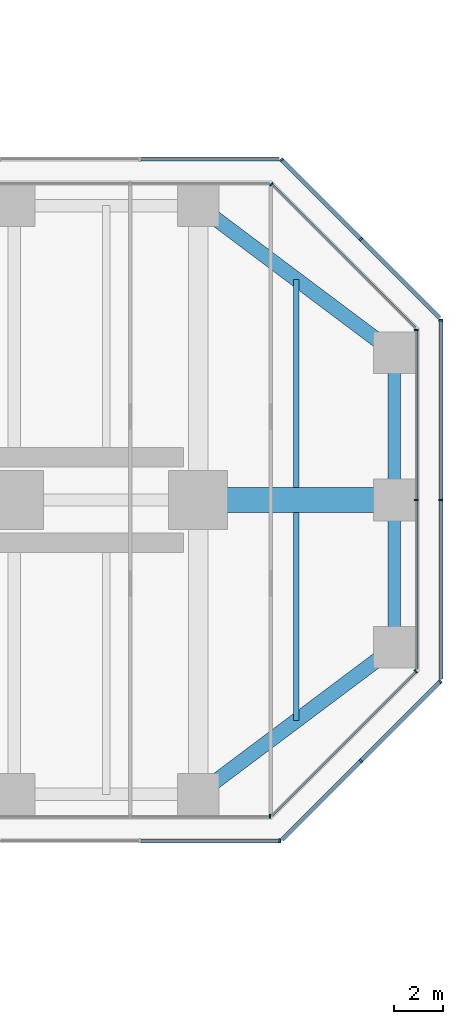
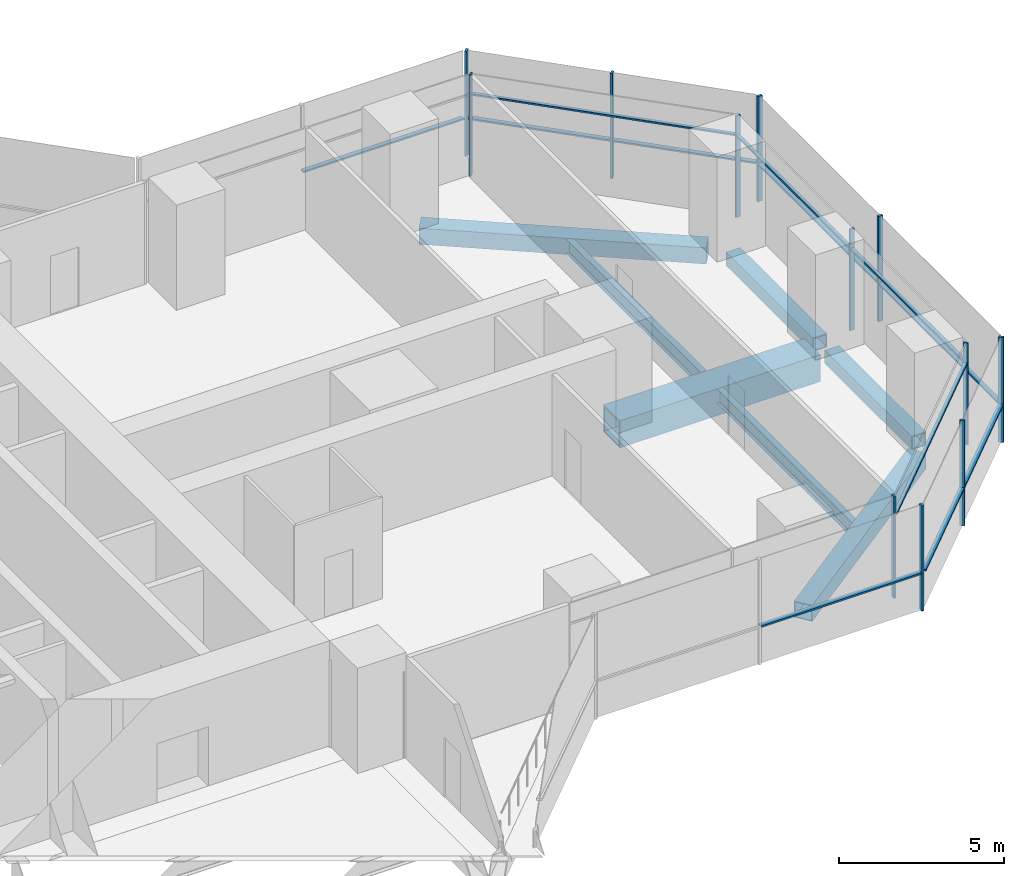
# One storey, part 11 of 20: 24 members, 7 beams, 9 elements without a shape of their own.
"""IFC4 building model written with IfcOpenShell, lengths in metres."""

import ifcopenshell
import ifcopenshell.guid

model = None  # the IFC model being written
_history = None  # IfcOwnerHistory: only IFC2X3 demands one
_inside = {}  # id of a spatial element -> (the spatial element, [elements in it])
_under = {}  # id of a project, library or spatial element -> (it, [spatial elements below it])
_declared = {}  # id of a project -> (the project, [libraries it declares])
_typed = {}  # id of a type object -> (the type object, [elements of that type])
_made_of = {}  # id of a material, layer set ... -> (it, [elements and type objects made of it])


def new_model(schema):
    """Start an empty IFC model of exactly this schema.

    Asked for "IFC4X3", IfcOpenShell would pick the latest addendum, in which some entities
    have other attributes; the version numbers below select the first issue.
    IFC2X3 requires an IfcOwnerHistory on every rooted entity: one is made here for all.
    """
    global model, _history
    if schema == "IFC4X3":
        model = ifcopenshell.file(schema_version=(4, 3, 0, 0))
    else:
        model = ifcopenshell.file(schema=schema)
    _inside.clear()
    _under.clear()
    _declared.clear()
    _typed.clear()
    _made_of.clear()
    _history = None
    if model.schema == "IFC2X3":
        org = make("IfcOrganization", Name="unknown")
        user = make(
            "IfcPersonAndOrganization",
            ThePerson=make("IfcPerson", FamilyName="unknown"),
            TheOrganization=org,
        )
        app = make(
            "IfcApplication",
            ApplicationDeveloper=org,
            Version="unknown",
            ApplicationFullName="unknown",
            ApplicationIdentifier="unknown",
        )
        _history = make(
            "IfcOwnerHistory",
            OwningUser=user,
            OwningApplication=app,
            ChangeAction="ADDED",
            CreationDate=0,
        )
    return model


def make(cls, **values):
    """One entity of the class cls with the attributes given. An attribute that is None is left unset."""
    return model.create_entity(
        cls, **{name: value for name, value in values.items() if value is not None}
    )


def rooted(cls, **values):
    """An entity with a GlobalId (a new one), such as an element, a storey or a relation."""
    return make(cls, GlobalId=ifcopenshell.guid.new(), OwnerHistory=_history, **values)


def si_unit(unit_type, name, prefix=None):
    """IfcSIUnit, for example si_unit("LENGTHUNIT", "METRE", prefix="MILLI")."""
    return make("IfcSIUnit", UnitType=unit_type, Prefix=prefix, Name=name)


def assignment(units):
    """IfcUnitAssignment: the units of a project."""
    return None if units is None else make("IfcUnitAssignment", Units=units)


def point(xyz):
    """IfcCartesianPoint."""
    return None if xyz is None else make("IfcCartesianPoint", Coordinates=xyz)


def direction(xyz):
    """IfcDirection."""
    return None if xyz is None else make("IfcDirection", DirectionRatios=xyz)


def frame(location, z_axis=None, x_axis=None):
    """IfcAxis2Placement3D, a coordinate frame: its origin and axes. An axis left out is left unset."""
    return make(
        "IfcAxis2Placement3D",
        Location=point(location),
        Axis=direction(z_axis),
        RefDirection=direction(x_axis),
    )


def frame_2d(location, x_axis=None):
    """IfcAxis2Placement2D, a coordinate frame in the plane: its origin and x axis."""
    return make(
        "IfcAxis2Placement2D", Location=point(location), RefDirection=direction(x_axis)
    )


def origin():
    """The frame at (0, 0, 0) with its axes left unset."""
    return frame((0.0, 0.0, 0.0))


def origin_2d():
    """The frame at (0, 0) in the plane with its x axis left unset."""
    return frame_2d((0.0, 0.0))


def place(relative_to, where):
    """IfcLocalPlacement: puts the frame where relative to a parent placement (None: the world)."""
    return make(
        "IfcLocalPlacement", PlacementRelTo=relative_to, RelativePlacement=where
    )


def context(
    kind, dimensions, precision=None, world=None, true_north=None, identifier=None
):
    """IfcGeometricRepresentationContext, for example the 3D "Model" context."""
    return make(
        "IfcGeometricRepresentationContext",
        ContextIdentifier=identifier,
        ContextType=kind,
        CoordinateSpaceDimension=dimensions,
        Precision=precision,
        WorldCoordinateSystem=world,
        TrueNorth=true_north,
    )


def subcontext(parent, identifier, kind, view, scale=None):
    """IfcGeometricRepresentationSubContext, for example "Body" below "Model"."""
    return make(
        "IfcGeometricRepresentationSubContext",
        ContextIdentifier=identifier,
        ContextType=kind,
        ParentContext=parent,
        TargetScale=scale,
        TargetView=view,
    )


def project(units=None, contexts=None):
    """IfcProject with its units and contexts."""
    return rooted(
        "IfcProject",
        Name="project",
        RepresentationContexts=contexts,
        UnitsInContext=assignment(units),
    )


def spatial(cls, under=None, at=None, **own):
    """A site, building, storey or space (cls), placed at a placement, below another one or the project."""
    s = rooted(cls, ObjectPlacement=at, **own)
    if under is not None:
        _under.setdefault(under.id(), (under, []))[1].append(s)
    return s


def profile(cls, at=None, kind="AREA", **sizes):
    """A parametric profile (cls). Its sizes go by their IFC names, for example OverallWidth=200.0."""
    return make(cls, ProfileType=kind, Position=at, **sizes)


def rectangle(**sizes):
    """IfcRectangleProfileDef."""
    return profile("IfcRectangleProfileDef", **sizes)


def hollow_rectangle(**sizes):
    """IfcRectangleHollowProfileDef."""
    return profile("IfcRectangleHollowProfileDef", **sizes)


def i_section(**sizes):
    """IfcIShapeProfileDef."""
    return profile("IfcIShapeProfileDef", **sizes)


def extrude(swept, where, along, depth):
    """IfcExtrudedAreaSolid: the profile swept, set in the frame where, extruded along a direction by depth."""
    return make(
        "IfcExtrudedAreaSolid",
        SweptArea=swept,
        Position=where,
        ExtrudedDirection=direction(along),
        Depth=depth,
    )


def shape(context_of_items, identifier, shape_type, items):
    """IfcShapeRepresentation: the items that make up one representation, for example the "Body"."""
    return make(
        "IfcShapeRepresentation",
        ContextOfItems=context_of_items,
        RepresentationIdentifier=identifier,
        RepresentationType=shape_type,
        Items=items,
    )


def material(Name=None, Category=None):
    """IfcMaterial."""
    return make("IfcMaterial", Name=Name, Category=Category)


def material_profile(
    of_material, cross_section, Name=None, Category=None, Priority=None
):
    """IfcMaterialProfile: a cross section and its material."""
    return make(
        "IfcMaterialProfile",
        Name=Name,
        Material=of_material,
        Profile=cross_section,
        Priority=Priority,
        Category=Category,
    )


def profile_set(profiles, Name=None, composite=None):
    """IfcMaterialProfileSet."""
    return make(
        "IfcMaterialProfileSet",
        Name=Name,
        MaterialProfiles=profiles,
        CompositeProfile=composite,
    )


def made_of(thing, what):
    """Note that an element or type object is made of a material, layer set ...; save() writes the relation."""
    if what is not None:
        _made_of.setdefault(what.id(), (what, []))[1].append(thing)
    return thing


def type_object(cls, material=None, **own):
    """A type object (cls), such as IfcWallType, which elements share."""
    return made_of(rooted(cls, **own), material)


def element(
    cls,
    number,
    at=None,
    inside=None,
    cuts=None,
    type_object=None,
    material=None,
    context=None,
    identifier="Body",
    shape_type=None,
    held_by="IfcProductDefinitionShape",
    body=None,
    shapes=None,
    **own,
):
    """One element of the class cls, such as IfcWall. Its Tag is "e" and its number.

    at: its placement. inside: the storey or other place that contains it. cuts: it is an
    opening in that element (IfcRelVoidsElement). A single representation is given by context,
    identifier, shape_type and body (its items); several are given by shapes. held_by: the class
    of the entity that holds the representations. save() writes the other relations.
    """
    e = rooted(cls, Tag="e%d" % number, ObjectPlacement=at, **own)
    if body is not None:
        shapes = [shape(context, identifier, shape_type, body)]
    if shapes is not None:
        e.Representation = make(held_by, Representations=shapes)
    if inside is not None:
        _inside.setdefault(inside.id(), (inside, []))[1].append(e)
    if cuts is not None:
        rooted(
            "IfcRelVoidsElement", RelatingBuildingElement=cuts, RelatedOpeningElement=e
        )
    if type_object is not None:
        _typed.setdefault(type_object.id(), (type_object, []))[1].append(e)
    return made_of(e, material)


def aggregate(whole, parts):
    """IfcRelAggregates: a whole, such as a stair, and the parts it consists of."""
    return rooted("IfcRelAggregates", RelatingObject=whole, RelatedObjects=parts)


def save(model, path):
    """Write the relations noted so far, then the file.

    IfcRelAggregates (storeys below a building ...), IfcRelContainedInSpatialStructure (elements
    in a storey), IfcRelDefinesByType, IfcRelAssociatesMaterial and IfcRelDeclares: one each for
    every whole, place, type object, material and project.
    """
    for whole, parts in _under.values():
        aggregate(whole, parts)
    for where, things in _inside.values():
        rooted(
            "IfcRelContainedInSpatialStructure",
            RelatedElements=things,
            RelatingStructure=where,
        )
    for kind, things in _typed.values():
        rooted("IfcRelDefinesByType", RelatedObjects=things, RelatingType=kind)
    for what, things in _made_of.values():
        rooted("IfcRelAssociatesMaterial", RelatedObjects=things, RelatingMaterial=what)
    for by, libraries in _declared.values():
        rooted("IfcRelDeclares", RelatingContext=by, RelatedDefinitions=libraries)
    model.write(path)


model = new_model("IFC4")

# Units and contexts
model_context = context("Model", 3, precision=1e-05, world=origin(), true_north=direction((0.0, 1.0)))
body_context = subcontext(model_context, "Body", "Model", "MODEL_VIEW")
ifc_project = project(units=[si_unit("LENGTHUNIT", "METRE"), si_unit("AREAUNIT", "SQUARE_METRE"), si_unit("VOLUMEUNIT", "CUBIC_METRE"), si_unit("PLANEANGLEUNIT", "RADIAN"), si_unit("MASSUNIT", "GRAM", prefix="KILO")], contexts=[model_context])

# Site, building, storey
site_placement = place(None, origin())
site = spatial("IfcSite", under=ifc_project, at=site_placement, CompositionType="ELEMENT")
building_placement = place(site_placement, origin())
building = spatial("IfcBuilding", under=site, at=building_placement, Name="Mizan Broadcast Tower", CompositionType="ELEMENT")
storey_placement = place(building_placement, frame((0.0, 0.0, 178.800048828125)))
storey = spatial("IfcBuildingStorey", under=building, at=storey_placement, Name="L41", CompositionType="ELEMENT", Elevation=178.800048828125)

# Beams
ifc_material_1 = material(Name="Steel S355", Category="steel")
ifc_material_profile_1 = material_profile(ifc_material_1, hollow_rectangle(XDim=0.5, YDim=0.5, WallThickness=0.030029296875, at=origin_2d()), Name="BOX 500x500x30")
ifc_profile_set_1 = profile_set([ifc_material_profile_1], Name="Steel S355")
beam_type_1 = type_object("IfcBeamType", Name="EDGE BEAM BOX 500x500x30", PredefinedType="SPANDREL", material=ifc_profile_set_1)
for number, where, z_axis, x_axis, name in (
    (1, (35.0, -5.639892578125, -0.380126953125), (0.0, 1.0, 0.0), (-1.0, 0.0, 0.0), "Edge beam BOX 500x500x30 L41 east arm"),
    (2, (35.0, 5.639892578125, -0.380126953125), (0.0, -1.0, 0.0), (1.0, 0.0, 0.0), "Edge beam BOX 500x500x30 L41 east arm"),
):
    element("IfcBeam", number, at=place(storey_placement, frame(where, z_axis=z_axis, x_axis=x_axis)), inside=storey, type_object=beam_type_1, Name=name, PredefinedType="SPANDREL", context=body_context, shape_type="SweptSolid", body=[
        extrude(hollow_rectangle(XDim=0.5, YDim=0.5, WallThickness=0.030029296875, at=origin_2d()), origin(), (0.0, 0.0, 1.0), 5.27978515625),
    ])
ifc_material_2 = material(Name="Steel S355", Category="steel")
ifc_material_profile_2 = material_profile(ifc_material_2, hollow_rectangle(XDim=0.60009765625, YDim=0.60009765625, WallThickness=0.030029296875, at=origin_2d()), Name="BOX 600x600x30")
ifc_profile_set_2 = profile_set([ifc_material_profile_2], Name="Steel S355")
beam_type_2 = type_object("IfcBeamType", Name="EDGE BEAM BOX 600x600x30", PredefinedType="SPANDREL", material=ifc_profile_set_2)
for number, where, z_axis, x_axis, name in (
    (3, (27.47998046875, -11.639892578125, -0.429931640625), (0.800013316712, 0.599982243973, 0.0), (-0.599982243973, 0.800013316712, 0.0), "Edge beam BOX 600x600x30 L41 east arm"),
    (4, (27.47998046875, 11.639892578125, -0.429931640625), (0.800013316712, -0.599982243973, 0.0), (0.599982243973, 0.800013316712, 0.0), "Edge beam BOX 600x600x30 L41 east arm"),
):
    element("IfcBeam", number, at=place(storey_placement, frame(where, z_axis=z_axis, x_axis=x_axis)), inside=storey, type_object=beam_type_2, Name=name, PredefinedType="SPANDREL", context=body_context, shape_type="SweptSolid", body=[
        extrude(hollow_rectangle(XDim=0.60009765625, YDim=0.60009765625, WallThickness=0.030029296875, at=origin_2d()), origin(), (0.0, 0.0, 1.0), 8.7998046875),
    ])
ifc_material_3 = material(Name="Steel S460", Category="steel")
ifc_material_profile_3 = material_profile(ifc_material_3, hollow_rectangle(XDim=1.0, YDim=1.0, WallThickness=0.06005859375, at=origin_2d()), Name="BOX 1000x1000x60")
ifc_profile_set_3 = profile_set([ifc_material_profile_3], Name="Steel S460")
beam_type_3 = type_object("IfcBeamType", Name="GIRDER BOX 1000x1000x60", PredefinedType="BEAM", material=ifc_profile_set_3)
beam_placement = place(storey_placement, frame((27.47998046875, 0.0, -0.630126953125), z_axis=(1.0, 0.0, 0.0), x_axis=(0.0, 1.0, 0.0)))
element("IfcBeam", 5, at=beam_placement, inside=storey, type_object=beam_type_3, Name="Girder BOX 1000x1000x60 L41 east arm", PredefinedType="BEAM", context=body_context, shape_type="SweptSolid", body=[
    extrude(hollow_rectangle(XDim=1.0, YDim=1.0, WallThickness=0.06005859375, at=origin_2d()), origin(), (0.0, 0.0, 1.0), 7.0400390625),
])

# Curtain wall, member
ifc_material_4 = material(Name="Aluminium framed glazing", Category="aluminium")
curtain_wall_type_1 = type_object("IfcCurtainWallType", Name="INNER SKIN MID ZONE", PredefinedType="USERDEFINED", material=ifc_material_4)
curtain_wall_1_placement = place(storey_placement, origin())
curtain_wall_1 = element("IfcCurtainWall", 6, at=curtain_wall_1_placement, inside=storey, type_object=curtain_wall_type_1, Name="Inner skin mid zone L41 E side", ObjectType="INNER SKIN MID ZONE", PredefinedType="USERDEFINED")
ifc_material_5 = material(Name="Aluminium, pale anodised", Category="aluminium")
ifc_material_profile_4 = material_profile(ifc_material_5, rectangle(XDim=0.159912109375, YDim=0.06005859375, at=origin_2d()), Name="MULLION 160x60")
ifc_profile_set_4 = profile_set([ifc_material_profile_4], Name="Aluminium, pale anodised")
member_type_1 = type_object("IfcMemberType", Name="INNER SKIN MULLION 60x160", PredefinedType="MULLION", material=ifc_profile_set_4)
member_1_placement = place(storey_placement, frame((29.928466796875, -12.89990234375, 0.0), z_axis=(0.0, 0.0, 1.0), x_axis=(0.0, 1.0, 0.0)))
member_1 = element("IfcMember", 7, at=member_1_placement, type_object=member_type_1, Name="Inner skin mid zone L41 E side mullion 3", PredefinedType="MULLION", context=body_context, shape_type="SweptSolid", body=[
    extrude(rectangle(XDim=0.159912109375, YDim=0.06005859375, at=origin_2d()), origin(), (0.0, 0.0, 1.0), 3.77001953125),
])
aggregate(curtain_wall_1, [member_1])

curtain_wall_2_placement = place(storey_placement, origin())
curtain_wall_2 = element("IfcCurtainWall", 8, at=curtain_wall_2_placement, inside=storey, type_object=curtain_wall_type_1, Name="Inner skin mid zone L41 E chamfer", ObjectType="INNER SKIN MID ZONE", PredefinedType="USERDEFINED")
member_2_placement = place(storey_placement, frame((35.87890625, -6.979736328125, 0.0), z_axis=(0.0, 0.0, 1.0), x_axis=(-0.707106781187, 0.707106781187, 0.0)))
member_2 = element("IfcMember", 9, at=member_2_placement, type_object=member_type_1, Name="Inner skin mid zone L41 E chamfer mullion 2", PredefinedType="MULLION", context=body_context, shape_type="SweptSolid", body=[
    extrude(rectangle(XDim=0.159912109375, YDim=0.06005859375, at=origin_2d()), origin(), (0.0, 0.0, 1.0), 3.77001953125),
])

# Curtain wall, members
curtain_wall_3_placement = place(storey_placement, origin())
curtain_wall_3 = element("IfcCurtainWall", 10, at=curtain_wall_3_placement, inside=storey, type_object=curtain_wall_type_1, Name="Inner skin mid zone L41 E end", ObjectType="INNER SKIN MID ZONE", PredefinedType="USERDEFINED")
member_3_placement = place(storey_placement, frame((35.89990234375, 0.0, 0.0), z_axis=(0.0, 0.0, 1.0), x_axis=(-1.0, 0.0, 0.0)))
member_3 = element("IfcMember", 11, at=member_3_placement, type_object=member_type_1, Name="Inner skin mid zone L41 E end mullion 2", PredefinedType="MULLION", context=body_context, shape_type="SweptSolid", body=[
    extrude(rectangle(XDim=0.159912109375, YDim=0.06005859375, at=origin_2d()), origin(), (0.0, 0.0, 1.0), 3.77001953125),
])
member_4_placement = place(storey_placement, frame((35.89990234375, 6.928466796875, 0.0), z_axis=(0.0, 0.0, 1.0), x_axis=(-1.0, 0.0, 0.0)))
member_4 = element("IfcMember", 12, at=member_4_placement, type_object=member_type_1, Name="Inner skin mid zone L41 E end mullion 3", PredefinedType="MULLION", context=body_context, shape_type="SweptSolid", body=[
    extrude(rectangle(XDim=0.159912109375, YDim=0.06005859375, at=origin_2d()), origin(), (0.0, 0.0, 1.0), 3.77001953125),
])

# Curtain wall, member
curtain_wall_4_placement = place(storey_placement, origin())
curtain_wall_4 = element("IfcCurtainWall", 13, at=curtain_wall_4_placement, inside=storey, type_object=curtain_wall_type_1, Name="Inner skin mid zone L41 E chamfer", ObjectType="INNER SKIN MID ZONE", PredefinedType="USERDEFINED")
member_5_placement = place(storey_placement, frame((29.979736328125, 12.87890625, 0.0), z_axis=(0.0, 0.0, 1.0), x_axis=(-0.707106781187, -0.707106781187, 0.0)))
member_5 = element("IfcMember", 14, at=member_5_placement, type_object=member_type_1, Name="Inner skin mid zone L41 E chamfer mullion 2", PredefinedType="MULLION", context=body_context, shape_type="SweptSolid", body=[
    extrude(rectangle(XDim=0.159912109375, YDim=0.06005859375, at=origin_2d()), origin(), (0.0, 0.0, 1.0), 3.77001953125),
])

# Member
ifc_material_6 = material(Name="Aluminium, pale anodised", Category="aluminium")
ifc_material_profile_5 = material_profile(ifc_material_6, rectangle(XDim=0.1201171875, YDim=0.06005859375, at=origin_2d()), Name="TRANSOM 120x60")
ifc_profile_set_5 = profile_set([ifc_material_profile_5], Name="Aluminium, pale anodised")
member_type_2 = type_object("IfcMemberType", Name="INNER SKIN TRANSOM 60x120", PredefinedType="USERDEFINED", material=ifc_profile_set_5)
member_6_placement = place(storey_placement, frame((30.0009765625, -12.857666015625, 3.030029296875), z_axis=(0.707106781187, 0.707106781187, 0.0), x_axis=(-0.707106781187, 0.707106781187, 0.0)))
member_6 = element("IfcMember", 15, at=member_6_placement, type_object=member_type_2, Name="Inner skin mid zone L41 E chamfer transom 1.1", ObjectType="TRANSOM", PredefinedType="USERDEFINED", context=body_context, shape_type="SweptSolid", body=[
    extrude(rectangle(XDim=0.1201171875, YDim=0.06005859375, at=origin_2d()), origin(), (0.0, 0.0, 1.0), 8.28271484375),
])

aggregate(curtain_wall_2, [member_2, member_6])

member_7_placement = place(storey_placement, frame((35.89990234375, -6.898681640625, 3.030029296875), z_axis=(0.0, 1.0, 0.0), x_axis=(-1.0, 0.0, 0.0)))
member_7 = element("IfcMember", 16, at=member_7_placement, type_object=member_type_2, Name="Inner skin mid zone L41 E end transom 1.1", ObjectType="TRANSOM", PredefinedType="USERDEFINED", context=body_context, shape_type="SweptSolid", body=[
    extrude(rectangle(XDim=0.1201171875, YDim=0.06005859375, at=origin_2d()), origin(), (0.0, 0.0, 1.0), 6.86865234375),
])

member_8_placement = place(storey_placement, frame((35.89990234375, 0.030029296875, 3.030029296875), z_axis=(0.0, 1.0, 0.0), x_axis=(-1.0, 0.0, 0.0)))
member_8 = element("IfcMember", 17, at=member_8_placement, type_object=member_type_2, Name="Inner skin mid zone L41 E end transom 2.1", ObjectType="TRANSOM", PredefinedType="USERDEFINED", context=body_context, shape_type="SweptSolid", body=[
    extrude(rectangle(XDim=0.1201171875, YDim=0.06005859375, at=origin_2d()), origin(), (0.0, 0.0, 1.0), 6.86865234375),
])

aggregate(curtain_wall_3, [member_3, member_4, member_7, member_8])

member_9_placement = place(storey_placement, frame((35.857666015625, 7.0009765625, 3.030029296875), z_axis=(-0.707106781187, 0.707106781187, 0.0), x_axis=(-0.707106781187, -0.707106781187, 0.0)))
member_9 = element("IfcMember", 18, at=member_9_placement, type_object=member_type_2, Name="Inner skin mid zone L41 E chamfer transom 1.1", ObjectType="TRANSOM", PredefinedType="USERDEFINED", context=body_context, shape_type="SweptSolid", body=[
    extrude(rectangle(XDim=0.1201171875, YDim=0.06005859375, at=origin_2d()), origin(), (0.0, 0.0, 1.0), 8.28271484375),
])

aggregate(curtain_wall_4, [member_5, member_9])

# Curtain wall, members
ifc_material_7 = material(Name="Aluminium framed glazing", Category="aluminium")
curtain_wall_type_2 = type_object("IfcCurtainWallType", Name="OUTER SKIN", PredefinedType="USERDEFINED", material=ifc_material_7)
curtain_wall_5_placement = place(storey_placement, origin())
curtain_wall_5 = element("IfcCurtainWall", 19, at=curtain_wall_5_placement, inside=storey, type_object=curtain_wall_type_2, Name="Outer skin L41 E chamfer", ObjectType="OUTER SKIN", PredefinedType="USERDEFINED")
ifc_material_8 = material(Name="Aluminium, pale anodised", Category="aluminium")
ifc_material_profile_6 = material_profile(ifc_material_8, rectangle(XDim=0.159912109375, YDim=0.080078125, at=origin_2d()), Name="MULLION 160x80")
ifc_profile_set_6 = profile_set([ifc_material_profile_6], Name="Aluminium, pale anodised")
member_type_3 = type_object("IfcMemberType", Name="OUTER SKIN MULLION 80x160", PredefinedType="MULLION", material=ifc_profile_set_6)
member_10_placement = place(storey_placement, frame((33.636474609375, -10.636474609375, 0.0), z_axis=(0.0, 0.0, 1.0), x_axis=(-0.707106781187, 0.707106781187, 0.0)))
member_10 = element("IfcMember", 20, at=member_10_placement, type_object=member_type_3, Name="Outer skin L41 E chamfer mullion 2", PredefinedType="MULLION", context=body_context, shape_type="SweptSolid", body=[
    extrude(rectangle(XDim=0.159912109375, YDim=0.080078125, at=origin_2d()), origin(), (0.0, 0.0, 1.0), 3.89990234375),
])
member_11_placement = place(storey_placement, frame((36.871826171875, -7.401123046875, 0.0), z_axis=(0.0, 0.0, 1.0), x_axis=(-0.707106781187, 0.707106781187, 0.0)))
member_11 = element("IfcMember", 21, at=member_11_placement, type_object=member_type_3, Name="Outer skin L41 E chamfer mullion 3", PredefinedType="MULLION", context=body_context, shape_type="SweptSolid", body=[
    extrude(rectangle(XDim=0.159912109375, YDim=0.080078125, at=origin_2d()), origin(), (0.0, 0.0, 1.0), 3.89990234375),
])

curtain_wall_6_placement = place(storey_placement, origin())
curtain_wall_6 = element("IfcCurtainWall", 22, at=curtain_wall_6_placement, inside=storey, type_object=curtain_wall_type_2, Name="Outer skin L41 E end", ObjectType="OUTER SKIN", PredefinedType="USERDEFINED")
member_12_placement = place(storey_placement, frame((36.89990234375, 0.0, 0.0), z_axis=(0.0, 0.0, 1.0), x_axis=(-1.0, 0.0, 0.0)))
member_12 = element("IfcMember", 23, at=member_12_placement, type_object=member_type_3, Name="Outer skin L41 E end mullion 2", PredefinedType="MULLION", context=body_context, shape_type="SweptSolid", body=[
    extrude(rectangle(XDim=0.159912109375, YDim=0.080078125, at=origin_2d()), origin(), (0.0, 0.0, 1.0), 3.89990234375),
])
member_13_placement = place(storey_placement, frame((36.89990234375, 7.332763671875, 0.0), z_axis=(0.0, 0.0, 1.0), x_axis=(-1.0, 0.0, 0.0)))
member_13 = element("IfcMember", 24, at=member_13_placement, type_object=member_type_3, Name="Outer skin L41 E end mullion 3", PredefinedType="MULLION", context=body_context, shape_type="SweptSolid", body=[
    extrude(rectangle(XDim=0.159912109375, YDim=0.080078125, at=origin_2d()), origin(), (0.0, 0.0, 1.0), 3.89990234375),
])

curtain_wall_7_placement = place(storey_placement, origin())
curtain_wall_7 = element("IfcCurtainWall", 25, at=curtain_wall_7_placement, inside=storey, type_object=curtain_wall_type_2, Name="Outer skin L41 E chamfer", ObjectType="OUTER SKIN", PredefinedType="USERDEFINED")
member_14_placement = place(storey_placement, frame((33.636474609375, 10.636474609375, 0.0), z_axis=(0.0, 0.0, 1.0), x_axis=(-0.707106781187, -0.707106781187, 0.0)))
member_14 = element("IfcMember", 26, at=member_14_placement, type_object=member_type_3, Name="Outer skin L41 E chamfer mullion 2", PredefinedType="MULLION", context=body_context, shape_type="SweptSolid", body=[
    extrude(rectangle(XDim=0.159912109375, YDim=0.080078125, at=origin_2d()), origin(), (0.0, 0.0, 1.0), 3.89990234375),
])
member_15_placement = place(storey_placement, frame((30.401123046875, 13.871826171875, 0.0), z_axis=(0.0, 0.0, 1.0), x_axis=(-0.707106781187, -0.707106781187, 0.0)))
member_15 = element("IfcMember", 27, at=member_15_placement, type_object=member_type_3, Name="Outer skin L41 E chamfer mullion 3", PredefinedType="MULLION", context=body_context, shape_type="SweptSolid", body=[
    extrude(rectangle(XDim=0.159912109375, YDim=0.080078125, at=origin_2d()), origin(), (0.0, 0.0, 1.0), 3.89990234375),
])

# Curtain wall, member
curtain_wall_8_placement = place(storey_placement, origin())
curtain_wall_8 = element("IfcCurtainWall", 28, at=curtain_wall_8_placement, inside=storey, type_object=curtain_wall_type_2, Name="Outer skin L41 E side", ObjectType="OUTER SKIN", PredefinedType="USERDEFINED")
member_16_placement = place(storey_placement, frame((30.332763671875, -13.89990234375, 0.0), z_axis=(0.0, 0.0, 1.0), x_axis=(0.0, 1.0, 0.0)))
member_16 = element("IfcMember", 29, at=member_16_placement, type_object=member_type_3, Name="Outer skin L41 E side mullion 3", PredefinedType="MULLION", context=body_context, shape_type="SweptSolid", body=[
    extrude(rectangle(XDim=0.159912109375, YDim=0.080078125, at=origin_2d()), origin(), (0.0, 0.0, 1.0), 3.89990234375),
])

# Member
ifc_material_9 = material(Name="Aluminium, pale anodised", Category="aluminium")
ifc_material_profile_7 = material_profile(ifc_material_9, rectangle(XDim=0.159912109375, YDim=0.06005859375, at=origin_2d()), Name="TRANSOM 160x60")
ifc_profile_set_7 = profile_set([ifc_material_profile_7], Name="Aluminium, pale anodised")
member_type_4 = type_object("IfcMemberType", Name="OUTER SKIN TRANSOM 60x160", PredefinedType="USERDEFINED", material=ifc_profile_set_7)
member_17_placement = place(storey_placement, frame((30.429443359375, -13.843505859375, 1.39990234375), z_axis=(0.707106781187, 0.707106781187, 0.0), x_axis=(-0.707106781187, 0.707106781187, 0.0)))
member_17 = element("IfcMember", 30, at=member_17_placement, type_object=member_type_4, Name="Outer skin L41 E chamfer transom 1.1", ObjectType="TRANSOM", PredefinedType="USERDEFINED", context=body_context, shape_type="SweptSolid", body=[
    extrude(rectangle(XDim=0.159912109375, YDim=0.06005859375, at=origin_2d()), origin(), (0.0, 0.0, 1.0), 4.495361328125),
])

member_18_placement = place(storey_placement, frame((33.664794921875, -10.608154296875, 1.39990234375), z_axis=(0.707106781187, 0.707106781187, 0.0), x_axis=(-0.707106781187, 0.707106781187, 0.0)))
member_18 = element("IfcMember", 31, at=member_18_placement, type_object=member_type_4, Name="Outer skin L41 E chamfer transom 2.1", ObjectType="TRANSOM", PredefinedType="USERDEFINED", context=body_context, shape_type="SweptSolid", body=[
    extrude(rectangle(XDim=0.159912109375, YDim=0.06005859375, at=origin_2d()), origin(), (0.0, 0.0, 1.0), 4.495361328125),
])

aggregate(curtain_wall_5, [member_10, member_11, member_17, member_18])

member_19_placement = place(storey_placement, frame((36.89990234375, -7.292724609375, 1.39990234375), z_axis=(0.0, 1.0, 0.0), x_axis=(-1.0, 0.0, 0.0)))
member_19 = element("IfcMember", 32, at=member_19_placement, type_object=member_type_4, Name="Outer skin L41 E end transom 1.1", ObjectType="TRANSOM", PredefinedType="USERDEFINED", context=body_context, shape_type="SweptSolid", body=[
    extrude(rectangle(XDim=0.159912109375, YDim=0.06005859375, at=origin_2d()), origin(), (0.0, 0.0, 1.0), 7.252685546875),
])

member_20_placement = place(storey_placement, frame((36.89990234375, 0.0400390625, 1.39990234375), z_axis=(0.0, 1.0, 0.0), x_axis=(-1.0, 0.0, 0.0)))
member_20 = element("IfcMember", 33, at=member_20_placement, type_object=member_type_4, Name="Outer skin L41 E end transom 2.1", ObjectType="TRANSOM", PredefinedType="USERDEFINED", context=body_context, shape_type="SweptSolid", body=[
    extrude(rectangle(XDim=0.159912109375, YDim=0.06005859375, at=origin_2d()), origin(), (0.0, 0.0, 1.0), 7.252685546875),
])

aggregate(curtain_wall_6, [member_12, member_13, member_19, member_20])

member_21_placement = place(storey_placement, frame((36.843505859375, 7.429443359375, 1.39990234375), z_axis=(-0.707106781187, 0.707106781187, 0.0), x_axis=(-0.707106781187, -0.707106781187, 0.0)))
member_21 = element("IfcMember", 34, at=member_21_placement, type_object=member_type_4, Name="Outer skin L41 E chamfer transom 1.1", ObjectType="TRANSOM", PredefinedType="USERDEFINED", context=body_context, shape_type="SweptSolid", body=[
    extrude(rectangle(XDim=0.159912109375, YDim=0.06005859375, at=origin_2d()), origin(), (0.0, 0.0, 1.0), 4.495361328125),
])

member_22_placement = place(storey_placement, frame((33.608154296875, 10.664794921875, 1.39990234375), z_axis=(-0.707106781187, 0.707106781187, 0.0), x_axis=(-0.707106781187, -0.707106781187, 0.0)))
member_22 = element("IfcMember", 35, at=member_22_placement, type_object=member_type_4, Name="Outer skin L41 E chamfer transom 2.1", ObjectType="TRANSOM", PredefinedType="USERDEFINED", context=body_context, shape_type="SweptSolid", body=[
    extrude(rectangle(XDim=0.159912109375, YDim=0.06005859375, at=origin_2d()), origin(), (0.0, 0.0, 1.0), 4.495361328125),
])

aggregate(curtain_wall_7, [member_14, member_15, member_21, member_22])

# Curtain wall, member
curtain_wall_9_placement = place(storey_placement, origin())
curtain_wall_9 = element("IfcCurtainWall", 36, at=curtain_wall_9_placement, inside=storey, type_object=curtain_wall_type_2, Name="Outer skin L41 E side", ObjectType="OUTER SKIN", PredefinedType="USERDEFINED")
member_23_placement = place(storey_placement, frame((30.292724609375, 13.89990234375, 1.39990234375), z_axis=(-1.0, 0.0, 0.0), x_axis=(0.0, -1.0, 0.0)))
member_23 = element("IfcMember", 37, at=member_23_placement, type_object=member_type_4, Name="Outer skin L41 E side transom 1.1", ObjectType="TRANSOM", PredefinedType="USERDEFINED", context=body_context, shape_type="SweptSolid", body=[
    extrude(rectangle(XDim=0.159912109375, YDim=0.06005859375, at=origin_2d()), origin(), (0.0, 0.0, 1.0), 5.6298828125),
])
aggregate(curtain_wall_9, [member_23])

# Member
member_24_placement = place(storey_placement, frame((24.662841796875, -13.89990234375, 1.39990234375), z_axis=(1.0, 0.0, 0.0), x_axis=(0.0, 1.0, 0.0)))
member_24 = element("IfcMember", 38, at=member_24_placement, type_object=member_type_4, Name="Outer skin L41 E side transom 2.1", ObjectType="TRANSOM", PredefinedType="USERDEFINED", context=body_context, shape_type="SweptSolid", body=[
    extrude(rectangle(XDim=0.159912109375, YDim=0.06005859375, at=origin_2d()), origin(), (0.0, 0.0, 1.0), 5.6298828125),
])

aggregate(curtain_wall_8, [member_16, member_24])

# Beams
ifc_material_10 = material(Name="Steel S355", Category="steel")
ifc_material_profile_8 = material_profile(ifc_material_10, i_section(OverallWidth=0.2099609375, OverallDepth=0.550048828125, WebThickness=0.010986328125, FlangeThickness=0.01708984375, FilletRadius=0.02392578125, at=origin_2d()), Name="IPE 550")
ifc_profile_set_8 = profile_set([ifc_material_profile_8], Name="Steel S355")
beam_type_4 = type_object("IfcBeamType", Name="SECONDARY BEAM IPE 550", PredefinedType="JOIST", material=ifc_profile_set_8)
for number, where, z_axis, x_axis, name in (
    (39, (31.0, -9.0, -0.405029296875), (0.0, 1.0, 0.0), (-1.0, 0.0, 0.0), "Secondary beam IPE 550 L41 east arm"),
    (40, (31.0, 9.0, -0.405029296875), (0.0, -1.0, 0.0), (1.0, 0.0, 0.0), "Secondary beam IPE 550 L41 east arm"),
):
    element("IfcBeam", number, at=place(storey_placement, frame(where, z_axis=z_axis, x_axis=x_axis)), inside=storey, type_object=beam_type_4, Name=name, PredefinedType="JOIST", context=body_context, shape_type="SweptSolid", body=[
        extrude(i_section(OverallWidth=0.2099609375, OverallDepth=0.550048828125, WebThickness=0.010986328125, FlangeThickness=0.01708984375, FilletRadius=0.02392578125, at=origin_2d()), origin(), (0.0, 0.0, 1.0), 8.5),
    ])

save(model, "model.ifc")
